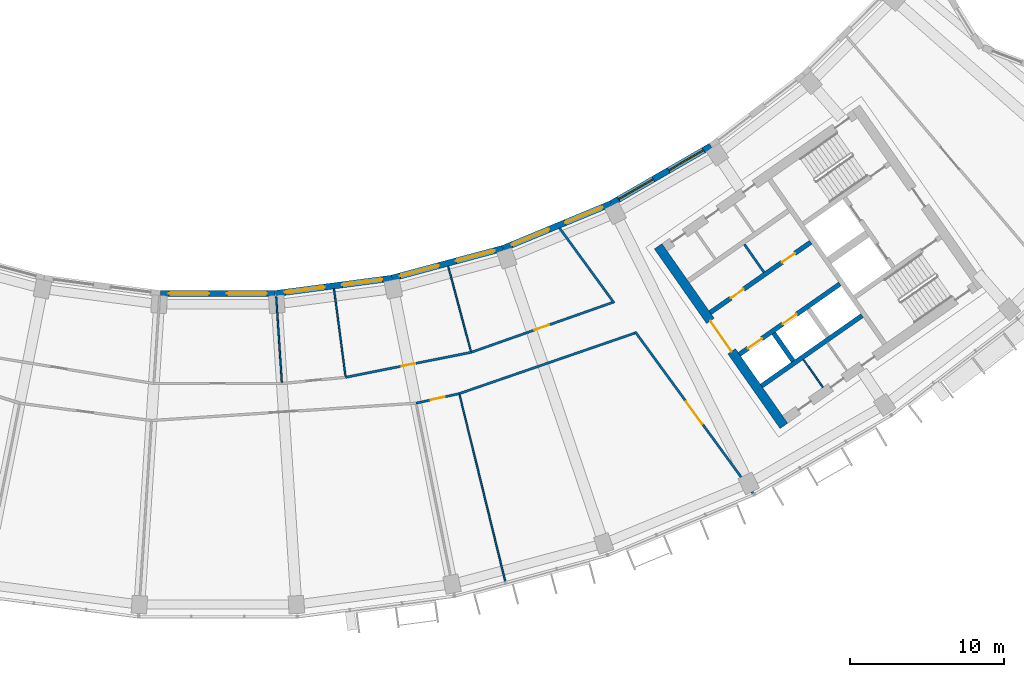
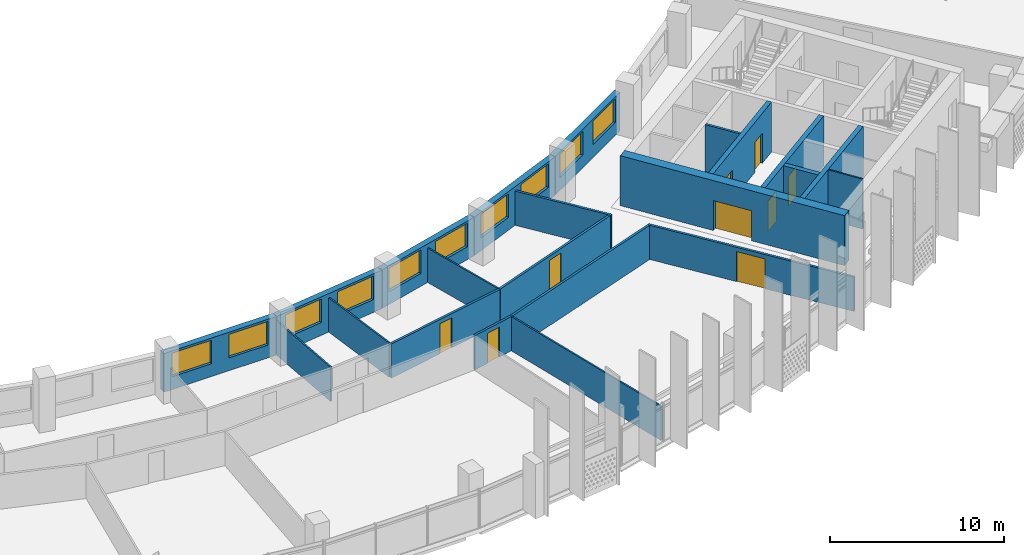
# One storey, part 6 of 27: 22 walls, 10 windows, 9 doors, 19 openings.
"""IFC4 building model written with IfcOpenShell, lengths in metres."""

from ifc_helpers import new_model, si_unit, direction, frame, frame_2d, origin, place, context, subcontext, project, spatial, rectangle, extrude, material, layer, layer_set, type_object, element, fill, save


model = new_model("IFC4")

# Units and contexts
model_context = context("Model", 3, precision=1e-05, world=origin(), true_north=direction((0.0, 1.0)))
body_context = subcontext(model_context, "Body", "Model", "MODEL_VIEW")
ifc_project = project(units=[si_unit("LENGTHUNIT", "METRE"), si_unit("AREAUNIT", "SQUARE_METRE"), si_unit("VOLUMEUNIT", "CUBIC_METRE"), si_unit("PLANEANGLEUNIT", "RADIAN"), si_unit("MASSUNIT", "GRAM", prefix="KILO")], contexts=[model_context])

# Site, building, storey
site_placement = place(None, origin())
site = spatial("IfcSite", under=ifc_project, at=site_placement, CompositionType="ELEMENT")
building_placement = place(site_placement, origin())
building = spatial("IfcBuilding", under=site, at=building_placement, Name="Qamariyya Broadcast Tower", CompositionType="ELEMENT")
storey_placement = place(building_placement, frame((0.0, 0.0, 211.300048828125)))
storey = spatial("IfcBuildingStorey", under=building, at=storey_placement, Name="L50", CompositionType="ELEMENT", Elevation=211.300048828125)

# Wall, opening, door
ifc_material_1 = material(Name="Concrete C60/75", Category="concrete")
ifc_layer_1 = layer(ifc_material_1, 0.60009765625)
ifc_layer_set_1 = layer_set([ifc_layer_1], Name="Core wall 600 mm Concrete C60/75")
wall_type_1 = type_object("IfcWallType", Name="Core wall 600 mm Concrete C60/75", PredefinedType="SHEAR", material=ifc_layer_set_1)
wall_1_placement = place(storey_placement, frame((36.66748046875, -66.005126953125, 0.0), z_axis=(0.0, 0.0, 1.0), x_axis=(-0.573568499524, 0.819157601658, 0.0)))
wall_1 = element("IfcWall", 1, at=wall_1_placement, inside=storey, type_object=wall_type_1, Name="k-E-L50-WA", PredefinedType="SHEAR", context=body_context, shape_type="SweptSolid", body=[
    extrude(rectangle(XDim=14.19970703125, YDim=0.60009765625, at=frame_2d((7.099853515625, 0.0))), origin(), (0.0, 0.0, 1.0), 3.5),
])
opening_1_placement = place(wall_1_placement, frame((5.89990234375, 0.0, 0.0)))
opening_1 = element("IfcOpeningElement", 2, at=opening_1_placement, cuts=wall_1, Name="Opening KD3-E1", PredefinedType="OPENING", context=body_context, shape_type="SweptSolid", body=[
    extrude(rectangle(XDim=2.39990234375, YDim=2.10009765625, at=frame_2d((1.199951171875, 1.050048828125))), frame((0.0, 0.31005859375, 0.0), z_axis=(0.0, -1.0, 0.0), x_axis=(1.0, 0.0, 0.0)), (0.0, 0.0, 1.0), 0.6201171875),
])
ifc_material_2 = material(Name="Steel fire-resisting door leaf", Category="steel")
door_type_1 = type_object("IfcDoorType", Name="Lift lobby door KD3", OperationType="DOUBLE_DOOR_SINGLE_SWING", PredefinedType="DOOR", material=ifc_material_2)
door_1_placement = place(opening_1_placement, origin())
door_1 = element("IfcDoor", 3, at=door_1_placement, inside=storey, type_object=door_type_1, Name="k-E-L50-WA-D1", OperationType="DOUBLE_DOOR_SINGLE_SWING", OverallHeight=2.10009765625, OverallWidth=2.39990234375, PredefinedType="DOOR", context=body_context, shape_type="SweptSolid", body=[
    extrude(rectangle(XDim=2.39990234375, YDim=2.10009765625, at=frame_2d((1.199951171875, 1.050048828125))), frame((0.0, 0.02490234375, 0.0), z_axis=(0.0, -1.0, 0.0), x_axis=(1.0, 0.0, 0.0)), (0.0, 0.0, 1.0), 0.050048828125),
])
fill(opening_1, door_1)

ifc_material_3 = material(Name="Gypsum board partition")
ifc_layer_2 = layer(ifc_material_3, 0.14990234375)
ifc_layer_set_2 = layer_set([ifc_layer_2], Name="Corridor partition 150 EI 60")
wall_type_2 = type_object("IfcWallType", Name="Corridor partition 150 EI 60", PredefinedType="PARTITIONING", material=ifc_layer_set_2)
wall_2_placement = place(storey_placement, frame((8.275390625, -62.857666015625, 0.0), z_axis=(0.0, 0.0, 1.0), x_axis=(0.98078508005, 0.195091329256, 0.0)))
wall_2 = element("IfcWall", 4, at=wall_2_placement, inside=storey, type_object=wall_type_2, Name="Partition L50-017", PredefinedType="PARTITIONING", context=body_context, shape_type="SweptSolid", body=[
    extrude(rectangle(XDim=8.293212890625, YDim=0.14990234375, at=frame_2d((4.146484375, 0.0))), origin(), (0.0, 0.0, 1.0), 2.39990234375),
])
opening_2_placement = place(wall_2_placement, frame((3.696533203125, 0.0, 0.0)))
opening_2 = element("IfcOpeningElement", 5, at=opening_2_placement, cuts=wall_2, Name="Opening L50-D10", PredefinedType="OPENING", context=body_context, shape_type="SweptSolid", body=[
    extrude(rectangle(XDim=0.89990234375, YDim=2.10009765625, at=frame_2d((0.449951171875, 1.050048828125))), frame((0.0, 0.0849609375, 0.0), z_axis=(0.0, -1.0, 0.0), x_axis=(1.0, 0.0, 0.0)), (0.0, 0.0, 1.0), 0.169921875),
])
ifc_material_4 = material(Name="Timber fire door leaf", Category="wood")
door_type_2 = type_object("IfcDoorType", Name="Fire door 900 x 2100 FD60", OperationType="NOTDEFINED", PredefinedType="DOOR", material=ifc_material_4)
door_2_placement = place(opening_2_placement, origin())
door_2 = element("IfcDoor", 6, at=door_2_placement, inside=storey, type_object=door_type_2, Name="Door L50-D10", OperationType="SINGLE_SWING_RIGHT", OverallHeight=2.10009765625, OverallWidth=0.89990234375, PredefinedType="DOOR", context=body_context, shape_type="SweptSolid", body=[
    extrude(rectangle(XDim=0.89990234375, YDim=2.10009765625, at=frame_2d((0.449951171875, 1.050048828125))), frame((0.0, 0.02490234375, 0.0), z_axis=(0.0, -1.0, 0.0), x_axis=(1.0, 0.0, 0.0)), (0.0, 0.0, 1.0), 0.050048828125),
])
fill(opening_2, door_2)

wall_3_placement = place(storey_placement, frame((15.637939453125, -63.914794921875, 0.0), z_axis=(0.0, 0.0, 1.0), x_axis=(-0.976305048544, -0.216398826676, 0.0)))
wall_3 = element("IfcWall", 7, at=wall_3_placement, inside=storey, type_object=wall_type_2, Name="Partition L50-018", PredefinedType="PARTITIONING", context=body_context, shape_type="SweptSolid", body=[
    extrude(rectangle(XDim=2.868896484375, YDim=0.14990234375, at=frame_2d((1.4345703125, 0.0))), origin(), (0.0, 0.0, 1.0), 2.39990234375),
])
opening_3_placement = place(wall_3_placement, frame((0.984619140625, 0.0, 0.0)))
opening_3 = element("IfcOpeningElement", 8, at=opening_3_placement, cuts=wall_3, Name="Opening L50-D04", PredefinedType="OPENING", context=body_context, shape_type="SweptSolid", body=[
    extrude(rectangle(XDim=0.89990234375, YDim=2.10009765625, at=frame_2d((0.449951171875, 1.050048828125))), frame((0.0, 0.0849609375, 0.0), z_axis=(0.0, -1.0, 0.0), x_axis=(1.0, 0.0, 0.0)), (0.0, 0.0, 1.0), 0.169921875),
])
door_3_placement = place(opening_3_placement, origin())
door_3 = element("IfcDoor", 9, at=door_3_placement, inside=storey, type_object=door_type_2, Name="Door L50-D04", OperationType="SINGLE_SWING_RIGHT", OverallHeight=2.10009765625, OverallWidth=0.89990234375, PredefinedType="DOOR", context=body_context, shape_type="SweptSolid", body=[
    extrude(rectangle(XDim=0.89990234375, YDim=2.10009765625, at=frame_2d((0.449951171875, 1.050048828125))), frame((0.0, 0.02490234375, 0.0), z_axis=(0.0, -1.0, 0.0), x_axis=(1.0, 0.0, 0.0)), (0.0, 0.0, 1.0), 0.050048828125),
])
fill(opening_3, door_3)

# Wall
wall_4_placement = place(storey_placement, frame((15.637939453125, -63.914794921875, 0.0), z_axis=(0.0, 0.0, 1.0), x_axis=(0.9453766492, 0.325980047162, 0.0)))
element("IfcWall", 10, at=wall_4_placement, inside=storey, type_object=wall_type_2, Name="Partition L50-021", PredefinedType="PARTITIONING", context=body_context, shape_type="SweptSolid", body=[
    extrude(rectangle(XDim=12.02587890625, YDim=0.14990234375, at=frame_2d((6.012939453125, 0.0))), origin(), (0.0, 0.0, 1.0), 2.39990234375),
])

# Wall, opening, door
wall_5_placement = place(storey_placement, frame((16.4091796875, -61.23974609375, 0.0), z_axis=(0.0, 0.0, 1.0), x_axis=(0.943087830275, 0.332543748081, 0.0)))
wall_5 = element("IfcWall", 11, at=wall_5_placement, inside=storey, type_object=wall_type_2, Name="Partition L50-022", PredefinedType="PARTITIONING", context=body_context, shape_type="SweptSolid", body=[
    extrude(rectangle(XDim=9.7041015625, YDim=0.14990234375, at=frame_2d((4.85205078125, 0.0))), origin(), (0.0, 0.0, 1.0), 2.39990234375),
])
opening_4_placement = place(wall_5_placement, frame((4.35205078125, 0.0, 0.0)))
opening_4 = element("IfcOpeningElement", 12, at=opening_4_placement, cuts=wall_5, Name="Opening L50-D11", PredefinedType="OPENING", context=body_context, shape_type="SweptSolid", body=[
    extrude(rectangle(XDim=1.0, YDim=2.10009765625, at=frame_2d((0.5, 1.050048828125))), frame((0.0, 0.0849609375, 0.0), z_axis=(0.0, -1.0, 0.0), x_axis=(1.0, 0.0, 0.0)), (0.0, 0.0, 1.0), 0.169921875),
])
door_type_3 = type_object("IfcDoorType", Name="Fire door 1000 x 2100 FD60", OperationType="NOTDEFINED", PredefinedType="DOOR", material=ifc_material_4)
door_4_placement = place(opening_4_placement, origin())
door_4 = element("IfcDoor", 13, at=door_4_placement, inside=storey, type_object=door_type_3, Name="Door L50-D11", OperationType="SINGLE_SWING_RIGHT", OverallHeight=2.10009765625, OverallWidth=1.0, PredefinedType="DOOR", context=body_context, shape_type="SweptSolid", body=[
    extrude(rectangle(XDim=1.0, YDim=2.10009765625, at=frame_2d((0.5, 1.050048828125))), frame((0.0, 0.02490234375, 0.0), z_axis=(0.0, -1.0, 0.0), x_axis=(1.0, 0.0, 0.0)), (0.0, 0.0, 1.0), 0.050048828125),
])
fill(opening_4, door_4)

# Wall
wall_6_placement = place(storey_placement, frame((22.135498046875, -53.1943359375, 0.0), z_axis=(0.0, 0.0, 1.0), x_axis=(0.589297062476, -0.807916438846, 0.0)))
element("IfcWall", 14, at=wall_6_placement, inside=storey, type_object=wall_type_2, Name="Partition L50-024", PredefinedType="PARTITIONING", context=body_context, shape_type="SweptSolid", body=[
    extrude(rectangle(XDim=6.008056640625, YDim=0.14990234375, at=frame_2d((3.00390625, 0.0))), origin(), (0.0, 0.0, 1.0), 2.39990234375),
])

# Wall, opening, door
wall_7_placement = place(storey_placement, frame((34.668212890625, -70.37744140625, 0.0), z_axis=(0.0, 0.0, 1.0), x_axis=(-0.589273648147, 0.807933516819, 0.0)))
wall_7 = element("IfcWall", 15, at=wall_7_placement, inside=storey, type_object=wall_type_2, Name="Partition L50-025", PredefinedType="PARTITIONING", context=body_context, shape_type="SweptSolid", body=[
    extrude(rectangle(XDim=12.956298828125, YDim=0.14990234375, at=frame_2d((6.47802734375, 0.0))), origin(), (0.0, 0.0, 1.0), 2.39990234375),
])
opening_5_placement = place(wall_7_placement, frame((5.578125, 0.0, 0.0)))
opening_5 = element("IfcOpeningElement", 16, at=opening_5_placement, cuts=wall_7, Name="Opening L50-D05", PredefinedType="OPENING", context=body_context, shape_type="SweptSolid", body=[
    extrude(rectangle(XDim=1.800048828125, YDim=2.10009765625, at=frame_2d((0.89990234375, 1.050048828125))), frame((0.0, 0.0849609375, 0.0), z_axis=(0.0, -1.0, 0.0), x_axis=(1.0, 0.0, 0.0)), (0.0, 0.0, 1.0), 0.169921875),
])
door_type_4 = type_object("IfcDoorType", Name="Double fire door 1800 x 2100 FD60", OperationType="NOTDEFINED", PredefinedType="DOOR", material=ifc_material_4)
door_5_placement = place(opening_5_placement, origin())
door_5 = element("IfcDoor", 17, at=door_5_placement, inside=storey, type_object=door_type_4, Name="Door L50-D05", OperationType="DOUBLE_DOOR_SINGLE_SWING", OverallHeight=2.10009765625, OverallWidth=1.800048828125, PredefinedType="DOOR", context=body_context, shape_type="SweptSolid", body=[
    extrude(rectangle(XDim=1.800048828125, YDim=2.10009765625, at=frame_2d((0.89990234375, 1.050048828125))), frame((0.0, 0.02490234375, 0.0), z_axis=(0.0, -1.0, 0.0), x_axis=(1.0, 0.0, 0.0)), (0.0, 0.0, 1.0), 0.050048828125),
])
fill(opening_5, door_5)

# Wall
ifc_material_5 = material(Name="Gypsum board partition on steel studs", Category="steel")
ifc_layer_3 = layer(ifc_material_5, 0.14990234375)
ifc_layer_set_3 = layer_set([ifc_layer_3], Name="Gypsum board partition 150 mm")
wall_type_3 = type_object("IfcWallType", Name="Gypsum board partition 150 mm", PredefinedType="PARTITIONING", material=ifc_layer_set_3)
wall_8_placement = place(storey_placement, frame((35.371826171875, -56.047607421875, 0.0), z_axis=(0.0, 0.0, 1.0), x_axis=(-0.573559170999, 0.819164133348, 0.0)))
element("IfcWall", 18, at=wall_8_placement, inside=storey, type_object=wall_type_3, Name="k-E-L50-NC435", PredefinedType="PARTITIONING", context=body_context, shape_type="SweptSolid", body=[
    extrude(rectangle(XDim=2.19970703125, YDim=0.14990234375, at=frame_2d((1.099853515625, 0.0))), origin(), (0.0, 0.0, 1.0), 3.5),
])

# Wall, openings, doors
ifc_layer_4 = layer(ifc_material_1, 0.300048828125)
ifc_layer_set_4 = layer_set([ifc_layer_4], Name="Lift shaft wall 300 mm Concrete C60/75")
wall_type_4 = type_object("IfcWallType", Name="Lift shaft wall 300 mm Concrete C60/75", PredefinedType="SOLIDWALL", material=ifc_layer_set_4)
wall_9_placement = place(storey_placement, frame((31.89453125, -58.66552734375, 0.0), z_axis=(0.0, 0.0, 1.0), x_axis=(0.819166993208, 0.573555086491, 0.0)))
wall_9 = element("IfcWall", 19, at=wall_9_placement, inside=storey, type_object=wall_type_4, Name="k-E-L50-NF0", PredefinedType="SOLIDWALL", context=body_context, shape_type="SweptSolid", body=[
    extrude(rectangle(XDim=7.9501953125, YDim=0.300048828125, at=frame_2d((3.97509765625, 0.0))), origin(), (0.0, 0.0, 1.0), 3.5),
])
opening_6_placement = place(wall_9_placement, frame((1.637451171875, 0.0, 0.0)))
opening_6 = element("IfcOpeningElement", 20, at=opening_6_placement, cuts=wall_9, Name="Opening KD6-E1", PredefinedType="OPENING", context=body_context, shape_type="SweptSolid", body=[
    extrude(rectangle(XDim=1.0, YDim=2.10009765625, at=frame_2d((0.5, 1.050048828125))), frame((0.0, 0.159912109375, 0.0), z_axis=(0.0, -1.0, 0.0), x_axis=(1.0, 0.0, 0.0)), (0.0, 0.0, 1.0), 0.320068359375),
])
opening_7_placement = place(wall_9_placement, frame((5.6875, 0.0, 0.0)))
opening_7 = element("IfcOpeningElement", 21, at=opening_7_placement, cuts=wall_9, Name="Opening KD6-E2", PredefinedType="OPENING", context=body_context, shape_type="SweptSolid", body=[
    extrude(rectangle(XDim=1.0, YDim=2.10009765625, at=frame_2d((0.5, 1.050048828125))), frame((0.0, 0.159912109375, 0.0), z_axis=(0.0, -1.0, 0.0), x_axis=(1.0, 0.0, 0.0)), (0.0, 0.0, 1.0), 0.320068359375),
])
door_type_5 = type_object("IfcDoorType", Name="Core room door KD6", OperationType="SINGLE_SWING_LEFT", PredefinedType="DOOR", material=ifc_material_2)
door_6_placement = place(opening_6_placement, origin())
door_6 = element("IfcDoor", 22, at=door_6_placement, inside=storey, type_object=door_type_5, Name="k-E-L50-NF0-D2", OperationType="SINGLE_SWING_RIGHT", OverallHeight=2.10009765625, OverallWidth=1.0, PredefinedType="DOOR", context=body_context, shape_type="SweptSolid", body=[
    extrude(rectangle(XDim=1.0, YDim=2.10009765625, at=frame_2d((0.5, 1.050048828125))), frame((0.0, 0.02490234375, 0.0), z_axis=(0.0, -1.0, 0.0), x_axis=(1.0, 0.0, 0.0)), (0.0, 0.0, 1.0), 0.050048828125),
])
fill(opening_6, door_6)
door_7_placement = place(opening_7_placement, origin())
door_7 = element("IfcDoor", 23, at=door_7_placement, inside=storey, type_object=door_type_5, Name="k-E-L50-NF0-D3", OperationType="SINGLE_SWING_LEFT", OverallHeight=2.10009765625, OverallWidth=1.0, PredefinedType="DOOR", context=body_context, shape_type="SweptSolid", body=[
    extrude(rectangle(XDim=1.0, YDim=2.10009765625, at=frame_2d((0.5, 1.050048828125))), frame((0.0, 0.02490234375, 0.0), z_axis=(0.0, -1.0, 0.0), x_axis=(1.0, 0.0, 0.0)), (0.0, 0.0, 1.0), 0.050048828125),
])
fill(opening_7, door_7)

wall_10_placement = place(storey_placement, frame((33.787353515625, -61.368896484375, 0.0), z_axis=(0.0, 0.0, 1.0), x_axis=(0.819152564888, 0.573575692858, 0.0)))
wall_10 = element("IfcWall", 24, at=wall_10_placement, inside=storey, type_object=wall_type_4, Name="k-E-L50-SF0", PredefinedType="SOLIDWALL", context=body_context, shape_type="SweptSolid", body=[
    extrude(rectangle(XDim=7.9501953125, YDim=0.300048828125, at=frame_2d((3.97509765625, 0.0))), origin(), (0.0, 0.0, 1.0), 3.5),
])
opening_8_placement = place(wall_10_placement, frame((0.675048828125, 0.0, 0.0)))
opening_8 = element("IfcOpeningElement", 25, at=opening_8_placement, cuts=wall_10, Name="Opening LD", PredefinedType="OPENING", context=body_context, shape_type="SweptSolid", body=[
    extrude(rectangle(XDim=1.10009765625, YDim=2.10009765625, at=frame_2d((0.550048828125, 1.050048828125))), frame((0.0, 0.159912109375, 0.0), z_axis=(0.0, -1.0, 0.0), x_axis=(1.0, 0.0, 0.0)), (0.0, 0.0, 1.0), 0.320068359375),
])
opening_9_placement = place(wall_10_placement, frame((3.425048828125, 0.0, 0.0)))
opening_9 = element("IfcOpeningElement", 26, at=opening_9_placement, cuts=wall_10, Name="Opening LD", PredefinedType="OPENING", context=body_context, shape_type="SweptSolid", body=[
    extrude(rectangle(XDim=1.10009765625, YDim=2.10009765625, at=frame_2d((0.550048828125, 1.050048828125))), frame((0.0, 0.159912109375, 0.0), z_axis=(0.0, -1.0, 0.0), x_axis=(1.0, 0.0, 0.0)), (0.0, 0.0, 1.0), 0.320068359375),
])
door_type_6 = type_object("IfcDoorType", Name="Lift landing door LD", OperationType="DOUBLE_DOOR_SLIDING", PredefinedType="DOOR", material=ifc_material_2)
door_8_placement = place(opening_8_placement, origin())
door_8 = element("IfcDoor", 27, at=door_8_placement, inside=storey, type_object=door_type_6, Name="k-E-L50-SF0-D4", OperationType="DOUBLE_DOOR_SLIDING", OverallHeight=2.10009765625, OverallWidth=1.10009765625, PredefinedType="DOOR", context=body_context, shape_type="SweptSolid", body=[
    extrude(rectangle(XDim=1.10009765625, YDim=2.10009765625, at=frame_2d((0.550048828125, 1.050048828125))), frame((0.0, 0.02490234375, 0.0), z_axis=(0.0, -1.0, 0.0), x_axis=(1.0, 0.0, 0.0)), (0.0, 0.0, 1.0), 0.050048828125),
])
fill(opening_8, door_8)
door_9_placement = place(opening_9_placement, origin())
door_9 = element("IfcDoor", 28, at=door_9_placement, inside=storey, type_object=door_type_6, Name="k-E-L50-SF0-D5", OperationType="DOUBLE_DOOR_SLIDING", OverallHeight=2.10009765625, OverallWidth=1.10009765625, PredefinedType="DOOR", context=body_context, shape_type="SweptSolid", body=[
    extrude(rectangle(XDim=1.10009765625, YDim=2.10009765625, at=frame_2d((0.550048828125, 1.050048828125))), frame((0.0, 0.02490234375, 0.0), z_axis=(0.0, -1.0, 0.0), x_axis=(1.0, 0.0, 0.0)), (0.0, 0.0, 1.0), 0.050048828125),
])
fill(opening_9, door_9)

# Walls
wall_11_placement = place(storey_placement, frame((35.22119140625, -63.41650390625, 0.0), z_axis=(0.0, 0.0, 1.0), x_axis=(0.819166993208, 0.573555086491, 0.0)))
element("IfcWall", 29, at=wall_11_placement, inside=storey, type_object=wall_type_4, Name="k-E-L50-SB0", PredefinedType="SOLIDWALL", context=body_context, shape_type="SweptSolid", body=[
    extrude(rectangle(XDim=7.9501953125, YDim=0.300048828125, at=frame_2d((3.97509765625, 0.0))), origin(), (0.0, 0.0, 1.0), 3.5),
])
wall_12_placement = place(storey_placement, frame((36.003173828125, -60.000244140625, 0.0), z_axis=(0.0, 0.0, 1.0), x_axis=(0.573581496053, -0.819148501424, 0.0)))
element("IfcWall", 30, at=wall_12_placement, inside=storey, type_object=wall_type_4, Name="k-E-L50-SD0", PredefinedType="SOLIDWALL", context=body_context, shape_type="SweptSolid", body=[
    extrude(rectangle(XDim=2.2001953125, YDim=0.300048828125, at=frame_2d((1.10009765625, 0.0))), origin(), (0.0, 0.0, 1.0), 3.5),
])
ifc_layer_5 = layer(ifc_material_3, 0.10009765625)
ifc_layer_set_5 = layer_set([ifc_layer_5], Name="Partition 100")
wall_type_5 = type_object("IfcWallType", Name="Partition 100", PredefinedType="PARTITIONING", material=ifc_layer_set_5)
wall_13_placement = place(storey_placement, frame((3.777099609375, -57.62646484375, 0.0), z_axis=(0.0, 0.0, 1.0), x_axis=(0.065382488891, -0.997860275864, 0.0)))
element("IfcWall", 31, at=wall_13_placement, inside=storey, type_object=wall_type_5, Name="Partition L50-014", PredefinedType="PARTITIONING", context=body_context, shape_type="SweptSolid", body=[
    extrude(rectangle(XDim=5.574951171875, YDim=0.10009765625, at=frame_2d((2.78759765625, 0.0))), origin(), (0.0, 0.0, 1.0), 2.39990234375),
])
for number, where, z_axis, x_axis, name in (
    (32, (7.52197265625, -57.13427734375, 0.0), (0.0, 0.0, 1.0), (0.130518800749, -0.991445834451, 0.0), "Partition L50-016"),
    (33, (14.9150390625, -55.66357421875, 0.0), (0.0, 0.0, 1.0), (0.258803907589, -0.965929882247, 0.0), "Partition L50-019"),
):
    element("IfcWall", number, at=place(storey_placement, frame(where, z_axis=z_axis, x_axis=x_axis)), inside=storey, type_object=wall_type_5, Name=name, PredefinedType="PARTITIONING", context=body_context, shape_type="SweptSolid", body=[
        extrude(rectangle(XDim=5.69775390625, YDim=0.10009765625, at=frame_2d((2.848876953125, 0.0))), origin(), (0.0, 0.0, 1.0), 2.39990234375),
    ])
wall_14_placement = place(storey_placement, frame((18.60888671875, -76.056884765625, 0.0), z_axis=(0.0, 0.0, 1.0), x_axis=(-0.237668980718, 0.971346207901, 0.0)))
element("IfcWall", 34, at=wall_14_placement, inside=storey, type_object=wall_type_5, Name="Partition L50-023", PredefinedType="PARTITIONING", context=body_context, shape_type="SweptSolid", body=[
    extrude(rectangle(XDim=12.42529296875, YDim=0.10009765625, at=frame_2d((6.212646484375, 0.0))), origin(), (0.0, 0.0, 1.0), 2.39990234375),
])
ifc_material_6 = material(Name="Fire-rated gypsum shaft liner on steel studs", Category="steel")
ifc_layer_6 = layer(ifc_material_6, 0.10009765625)
ifc_layer_set_6 = layer_set([ifc_layer_6], Name="Riser wall 100 mm")
wall_type_6 = type_object("IfcWallType", Name="Riser wall 100 mm", PredefinedType="PLUMBINGWALL", material=ifc_layer_set_6)
wall_15_placement = place(storey_placement, frame((37.9287109375, -61.7041015625, 0.0), z_axis=(0.0, 0.0, 1.0), x_axis=(0.573559170999, -0.819164133348, 0.0)))
element("IfcWall", 35, at=wall_15_placement, inside=storey, type_object=wall_type_6, Name="k-E-L50-SP320", PredefinedType="PLUMBINGWALL", context=body_context, shape_type="SweptSolid", body=[
    extrude(rectangle(XDim=2.19970703125, YDim=0.10009765625, at=frame_2d((1.099853515625, 0.0))), origin(), (0.0, 0.0, 1.0), 3.5),
])

# Wall, openings, windows
ifc_material_7 = material(Name="Terracotta", Category="masonry")
ifc_layer_7 = layer(ifc_material_7, 0.39990234375)
ifc_layer_set_7 = layer_set([ifc_layer_7], Name="Terracotta clad wall 400")
wall_type_7 = type_object("IfcWallType", Name="Terracotta clad wall 400", PredefinedType="SOLIDWALL", material=ifc_layer_set_7)
wall_16_placement = place(storey_placement, frame((18.449951171875, -54.50927734375, 0.0), z_axis=(0.0, 0.0, 1.0), x_axis=(-0.965924866111, -0.25882262851, 0.0)))
wall_16 = element("IfcWall", 36, at=wall_16_placement, inside=storey, type_object=wall_type_7, Name="e-wl-L50-in100", PredefinedType="SOLIDWALL", context=body_context, shape_type="SweptSolid", body=[
    extrude(rectangle(XDim=7.426513671875, YDim=0.39990234375, at=frame_2d((3.71337890625, 0.0))), origin(), (0.0, 0.0, 1.0), 2.699951171875),
])
opening_10_placement = place(wall_16_placement, frame((4.28857421875, 0.0, 0.89990234375)))
opening_10 = element("IfcOpeningElement", 37, at=opening_10_placement, cuts=wall_16, Name="Opening W1", PredefinedType="OPENING", context=body_context, shape_type="SweptSolid", body=[
    extrude(rectangle(XDim=2.60009765625, YDim=1.64990234375, at=frame_2d((1.300048828125, 0.824951171875))), frame((0.0, 0.2099609375, 0.0), z_axis=(0.0, -1.0, 0.0), x_axis=(1.0, 0.0, 0.0)), (0.0, 0.0, 1.0), 0.419921875),
])
opening_11_placement = place(wall_16_placement, frame((0.537841796875, 0.0, 0.89990234375)))
opening_11 = element("IfcOpeningElement", 38, at=opening_11_placement, cuts=wall_16, Name="Opening W1", PredefinedType="OPENING", context=body_context, shape_type="SweptSolid", body=[
    extrude(rectangle(XDim=2.60009765625, YDim=1.64990234375, at=frame_2d((1.300048828125, 0.824951171875))), frame((0.0, 0.2099609375, 0.0), z_axis=(0.0, -1.0, 0.0), x_axis=(1.0, 0.0, 0.0)), (0.0, 0.0, 1.0), 0.419921875),
])
ifc_material_8 = material(Name="Clear low-e double glazed unit in aluminium frame", Category="aluminium")
window_type = type_object("IfcWindowType", Name="Ribbon window 2600 x 1650", PartitioningType="SINGLE_PANEL", PredefinedType="WINDOW", material=ifc_material_8)
window_1_placement = place(opening_10_placement, origin())
window_1 = element("IfcWindow", 39, at=window_1_placement, inside=storey, type_object=window_type, Name="e-w-L50-in10-0", OverallHeight=1.64990234375, OverallWidth=2.60009765625, PartitioningType="SINGLE_PANEL", PredefinedType="WINDOW", context=body_context, shape_type="SweptSolid", body=[
    extrude(rectangle(XDim=2.60009765625, YDim=1.64990234375, at=frame_2d((1.300048828125, 0.824951171875))), frame((0.0, 0.030029296875, 0.0), z_axis=(0.0, -1.0, 0.0), x_axis=(1.0, 0.0, 0.0)), (0.0, 0.0, 1.0), 0.06005859375),
])
fill(opening_10, window_1)
window_2_placement = place(opening_11_placement, origin())
window_2 = element("IfcWindow", 40, at=window_2_placement, inside=storey, type_object=window_type, Name="e-w-L50-in10-1", OverallHeight=1.64990234375, OverallWidth=2.60009765625, PartitioningType="SINGLE_PANEL", PredefinedType="WINDOW", context=body_context, shape_type="SweptSolid", body=[
    extrude(rectangle(XDim=2.60009765625, YDim=1.64990234375, at=frame_2d((1.300048828125, 0.824951171875))), frame((0.0, 0.030029296875, 0.0), z_axis=(0.0, -1.0, 0.0), x_axis=(1.0, 0.0, 0.0)), (0.0, 0.0, 1.0), 0.06005859375),
])
fill(opening_11, window_2)

wall_17_placement = place(storey_placement, frame((25.47705078125, -51.60595703125, 0.0), z_axis=(0.0, 0.0, 1.0), x_axis=(-0.923884115122, -0.382672368777, 0.0)))
wall_17 = element("IfcWall", 41, at=wall_17_placement, inside=storey, type_object=wall_type_7, Name="e-wl-L50-in110", PredefinedType="SOLIDWALL", context=body_context, shape_type="SweptSolid", body=[
    extrude(rectangle(XDim=7.578125, YDim=0.39990234375, at=frame_2d((3.7890625, 0.0))), origin(), (0.0, 0.0, 1.0), 2.699951171875),
])
opening_12_placement = place(wall_17_placement, frame((4.364501953125, 0.0, 0.89990234375)))
opening_12 = element("IfcOpeningElement", 42, at=opening_12_placement, cuts=wall_17, Name="Opening W1", PredefinedType="OPENING", context=body_context, shape_type="SweptSolid", body=[
    extrude(rectangle(XDim=2.60009765625, YDim=1.64990234375, at=frame_2d((1.300048828125, 0.824951171875))), frame((0.0, 0.2099609375, 0.0), z_axis=(0.0, -1.0, 0.0), x_axis=(1.0, 0.0, 0.0)), (0.0, 0.0, 1.0), 0.419921875),
])
opening_13_placement = place(wall_17_placement, frame((0.613525390625, 0.0, 0.89990234375)))
opening_13 = element("IfcOpeningElement", 43, at=opening_13_placement, cuts=wall_17, Name="Opening W1", PredefinedType="OPENING", context=body_context, shape_type="SweptSolid", body=[
    extrude(rectangle(XDim=2.60009765625, YDim=1.64990234375, at=frame_2d((1.300048828125, 0.824951171875))), frame((0.0, 0.2099609375, 0.0), z_axis=(0.0, -1.0, 0.0), x_axis=(1.0, 0.0, 0.0)), (0.0, 0.0, 1.0), 0.419921875),
])
window_3_placement = place(opening_12_placement, origin())
window_3 = element("IfcWindow", 44, at=window_3_placement, inside=storey, type_object=window_type, Name="e-w-L50-in11-0", OverallHeight=1.64990234375, OverallWidth=2.60009765625, PartitioningType="SINGLE_PANEL", PredefinedType="WINDOW", context=body_context, shape_type="SweptSolid", body=[
    extrude(rectangle(XDim=2.60009765625, YDim=1.64990234375, at=frame_2d((1.300048828125, 0.824951171875))), frame((0.0, 0.030029296875, 0.0), z_axis=(0.0, -1.0, 0.0), x_axis=(1.0, 0.0, 0.0)), (0.0, 0.0, 1.0), 0.06005859375),
])
fill(opening_12, window_3)
window_4_placement = place(opening_13_placement, origin())
window_4 = element("IfcWindow", 45, at=window_4_placement, inside=storey, type_object=window_type, Name="e-w-L50-in11-1", OverallHeight=1.64990234375, OverallWidth=2.60009765625, PartitioningType="SINGLE_PANEL", PredefinedType="WINDOW", context=body_context, shape_type="SweptSolid", body=[
    extrude(rectangle(XDim=2.60009765625, YDim=1.64990234375, at=frame_2d((1.300048828125, 0.824951171875))), frame((0.0, 0.030029296875, 0.0), z_axis=(0.0, -1.0, 0.0), x_axis=(1.0, 0.0, 0.0)), (0.0, 0.0, 1.0), 0.06005859375),
])
fill(opening_13, window_4)

wall_18_placement = place(storey_placement, frame((31.929443359375, -47.876708984375, 0.0), z_axis=(0.0, 0.0, 1.0), x_axis=(-0.866021353871, -0.500007014591, 0.0)))
wall_18 = element("IfcWall", 46, at=wall_18_placement, inside=storey, type_object=wall_type_7, Name="e-wl-L50-in120", PredefinedType="SOLIDWALL", context=body_context, shape_type="SweptSolid", body=[
    extrude(rectangle(XDim=7.4267578125, YDim=0.39990234375, at=frame_2d((3.71337890625, 0.0))), origin(), (0.0, 0.0, 1.0), 2.699951171875),
])
opening_14_placement = place(wall_18_placement, frame((4.28857421875, 0.0, 0.89990234375)))
opening_14 = element("IfcOpeningElement", 47, at=opening_14_placement, cuts=wall_18, Name="Opening W1", PredefinedType="OPENING", context=body_context, shape_type="SweptSolid", body=[
    extrude(rectangle(XDim=2.60009765625, YDim=1.64990234375, at=frame_2d((1.300048828125, 0.824951171875))), frame((0.0, 0.2099609375, 0.0), z_axis=(0.0, -1.0, 0.0), x_axis=(1.0, 0.0, 0.0)), (0.0, 0.0, 1.0), 0.419921875),
])
opening_15_placement = place(wall_18_placement, frame((0.537841796875, 0.0, 0.89990234375)))
opening_15 = element("IfcOpeningElement", 48, at=opening_15_placement, cuts=wall_18, Name="Opening W1", PredefinedType="OPENING", context=body_context, shape_type="SweptSolid", body=[
    extrude(rectangle(XDim=2.60009765625, YDim=1.64990234375, at=frame_2d((1.300048828125, 0.824951171875))), frame((0.0, 0.2099609375, 0.0), z_axis=(0.0, -1.0, 0.0), x_axis=(1.0, 0.0, 0.0)), (0.0, 0.0, 1.0), 0.419921875),
])
window_5_placement = place(opening_14_placement, origin())
window_5 = element("IfcWindow", 49, at=window_5_placement, inside=storey, type_object=window_type, Name="e-w-L50-in12-0", OverallHeight=1.64990234375, OverallWidth=2.60009765625, PartitioningType="SINGLE_PANEL", PredefinedType="WINDOW", context=body_context, shape_type="SweptSolid", body=[
    extrude(rectangle(XDim=2.60009765625, YDim=1.64990234375, at=frame_2d((1.300048828125, 0.824951171875))), frame((0.0, 0.030029296875, 0.0), z_axis=(0.0, -1.0, 0.0), x_axis=(1.0, 0.0, 0.0)), (0.0, 0.0, 1.0), 0.06005859375),
])
fill(opening_14, window_5)
window_6_placement = place(opening_15_placement, origin())
window_6 = element("IfcWindow", 50, at=window_6_placement, inside=storey, type_object=window_type, Name="e-w-L50-in12-1", OverallHeight=1.64990234375, OverallWidth=2.60009765625, PartitioningType="SINGLE_PANEL", PredefinedType="WINDOW", context=body_context, shape_type="SweptSolid", body=[
    extrude(rectangle(XDim=2.60009765625, YDim=1.64990234375, at=frame_2d((1.300048828125, 0.824951171875))), frame((0.0, 0.030029296875, 0.0), z_axis=(0.0, -1.0, 0.0), x_axis=(1.0, 0.0, 0.0)), (0.0, 0.0, 1.0), 0.06005859375),
])
fill(opening_15, window_6)

wall_19_placement = place(storey_placement, frame((3.713134765625, -57.42724609375, 0.0), z_axis=(0.0, 0.0, 1.0), x_axis=(-1.0, 0.0, 0.0)))
wall_19 = element("IfcWall", 51, at=wall_19_placement, inside=storey, type_object=wall_type_7, Name="e-wl-L50-in80", PredefinedType="SOLIDWALL", context=body_context, shape_type="SweptSolid", body=[
    extrude(rectangle(XDim=7.42626953125, YDim=0.39990234375, at=frame_2d((3.713134765625, 0.0))), origin(), (0.0, 0.0, 1.0), 2.699951171875),
])
opening_16_placement = place(wall_19_placement, frame((4.28857421875, 0.0, 0.89990234375)))
opening_16 = element("IfcOpeningElement", 52, at=opening_16_placement, cuts=wall_19, Name="Opening W1", PredefinedType="OPENING", context=body_context, shape_type="SweptSolid", body=[
    extrude(rectangle(XDim=2.60009765625, YDim=1.64990234375, at=frame_2d((1.300048828125, 0.824951171875))), frame((0.0, 0.2099609375, 0.0), z_axis=(0.0, -1.0, 0.0), x_axis=(1.0, 0.0, 0.0)), (0.0, 0.0, 1.0), 0.419921875),
])
opening_17_placement = place(wall_19_placement, frame((0.537841796875, 0.0, 0.89990234375)))
opening_17 = element("IfcOpeningElement", 53, at=opening_17_placement, cuts=wall_19, Name="Opening W1", PredefinedType="OPENING", context=body_context, shape_type="SweptSolid", body=[
    extrude(rectangle(XDim=2.60009765625, YDim=1.64990234375, at=frame_2d((1.300048828125, 0.824951171875))), frame((0.0, 0.2099609375, 0.0), z_axis=(0.0, -1.0, 0.0), x_axis=(1.0, 0.0, 0.0)), (0.0, 0.0, 1.0), 0.419921875),
])
window_7_placement = place(opening_16_placement, origin())
window_7 = element("IfcWindow", 54, at=window_7_placement, inside=storey, type_object=window_type, Name="e-w-L50-in08-0", OverallHeight=1.64990234375, OverallWidth=2.60009765625, PartitioningType="SINGLE_PANEL", PredefinedType="WINDOW", context=body_context, shape_type="SweptSolid", body=[
    extrude(rectangle(XDim=2.60009765625, YDim=1.64990234375, at=frame_2d((1.300048828125, 0.824951171875))), frame((0.0, 0.030029296875, 0.0), z_axis=(0.0, -1.0, 0.0), x_axis=(1.0, 0.0, 0.0)), (0.0, 0.0, 1.0), 0.06005859375),
])
fill(opening_16, window_7)
window_8_placement = place(opening_17_placement, origin())
window_8 = element("IfcWindow", 55, at=window_8_placement, inside=storey, type_object=window_type, Name="e-w-L50-in08-1", OverallHeight=1.64990234375, OverallWidth=2.60009765625, PartitioningType="SINGLE_PANEL", PredefinedType="WINDOW", context=body_context, shape_type="SweptSolid", body=[
    extrude(rectangle(XDim=2.60009765625, YDim=1.64990234375, at=frame_2d((1.300048828125, 0.824951171875))), frame((0.0, 0.030029296875, 0.0), z_axis=(0.0, -1.0, 0.0), x_axis=(1.0, 0.0, 0.0)), (0.0, 0.0, 1.0), 0.06005859375),
])
fill(opening_17, window_8)

wall_20_placement = place(storey_placement, frame((11.252197265625, -56.44140625, 0.0), z_axis=(0.0, 0.0, 1.0), x_axis=(-0.991446288508, -0.130515351599, 0.0)))
wall_20 = element("IfcWall", 56, at=wall_20_placement, inside=storey, type_object=wall_type_7, Name="e-wl-L50-in90", PredefinedType="SOLIDWALL", context=body_context, shape_type="SweptSolid", body=[
    extrude(rectangle(XDim=7.57763671875, YDim=0.39990234375, at=frame_2d((3.788818359375, 0.0))), origin(), (0.0, 0.0, 1.0), 2.699951171875),
])
opening_18_placement = place(wall_20_placement, frame((4.364501953125, 0.0, 0.89990234375)))
opening_18 = element("IfcOpeningElement", 57, at=opening_18_placement, cuts=wall_20, Name="Opening W1", PredefinedType="OPENING", context=body_context, shape_type="SweptSolid", body=[
    extrude(rectangle(XDim=2.60009765625, YDim=1.64990234375, at=frame_2d((1.300048828125, 0.824951171875))), frame((0.0, 0.2099609375, 0.0), z_axis=(0.0, -1.0, 0.0), x_axis=(1.0, 0.0, 0.0)), (0.0, 0.0, 1.0), 0.419921875),
])
opening_19_placement = place(wall_20_placement, frame((0.613525390625, 0.0, 0.89990234375)))
opening_19 = element("IfcOpeningElement", 58, at=opening_19_placement, cuts=wall_20, Name="Opening W1", PredefinedType="OPENING", context=body_context, shape_type="SweptSolid", body=[
    extrude(rectangle(XDim=2.60009765625, YDim=1.64990234375, at=frame_2d((1.300048828125, 0.824951171875))), frame((0.0, 0.2099609375, 0.0), z_axis=(0.0, -1.0, 0.0), x_axis=(1.0, 0.0, 0.0)), (0.0, 0.0, 1.0), 0.419921875),
])
window_9_placement = place(opening_18_placement, origin())
window_9 = element("IfcWindow", 59, at=window_9_placement, inside=storey, type_object=window_type, Name="e-w-L50-in09-0", OverallHeight=1.64990234375, OverallWidth=2.60009765625, PartitioningType="SINGLE_PANEL", PredefinedType="WINDOW", context=body_context, shape_type="SweptSolid", body=[
    extrude(rectangle(XDim=2.60009765625, YDim=1.64990234375, at=frame_2d((1.300048828125, 0.824951171875))), frame((0.0, 0.030029296875, 0.0), z_axis=(0.0, -1.0, 0.0), x_axis=(1.0, 0.0, 0.0)), (0.0, 0.0, 1.0), 0.06005859375),
])
fill(opening_18, window_9)
window_10_placement = place(opening_19_placement, origin())
window_10 = element("IfcWindow", 60, at=window_10_placement, inside=storey, type_object=window_type, Name="e-w-L50-in09-1", OverallHeight=1.64990234375, OverallWidth=2.60009765625, PartitioningType="SINGLE_PANEL", PredefinedType="WINDOW", context=body_context, shape_type="SweptSolid", body=[
    extrude(rectangle(XDim=2.60009765625, YDim=1.64990234375, at=frame_2d((1.300048828125, 0.824951171875))), frame((0.0, 0.030029296875, 0.0), z_axis=(0.0, -1.0, 0.0), x_axis=(1.0, 0.0, 0.0)), (0.0, 0.0, 1.0), 0.06005859375),
])
fill(opening_19, window_10)

save(model, "model.ifc")
